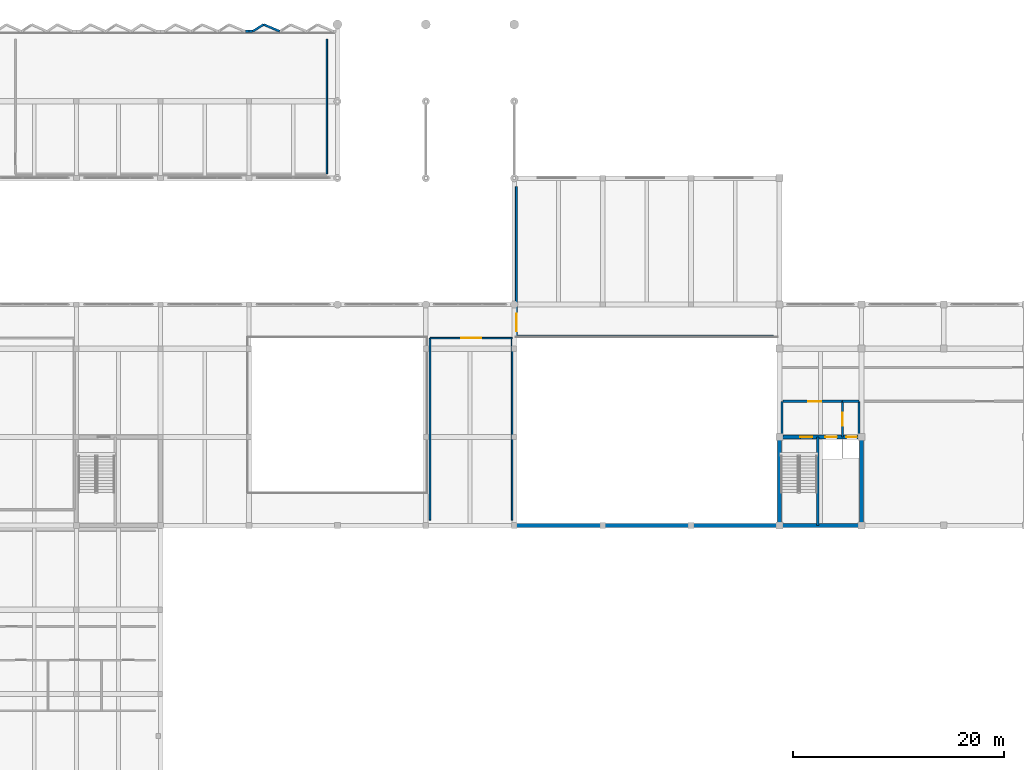
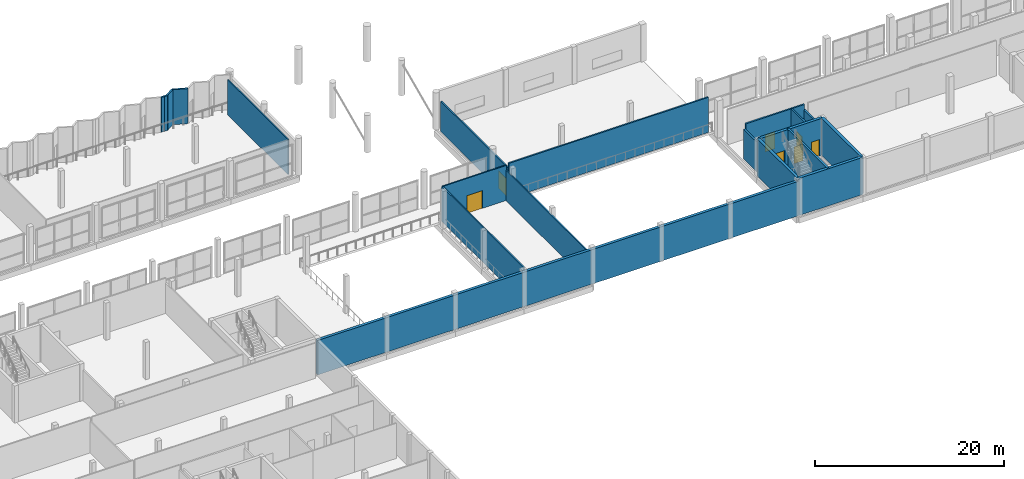
# One storey, part 37 of 47: 21 walls, 7 doors, 7 openings.
"""IFC4 building model written with IfcOpenShell, lengths in metres."""

from ifc_helpers import new_model, si_unit, direction, frame, frame_2d, origin, place, context, subcontext, project, spatial, rectangle, extrude, material, layer, layer_set, type_object, element, fill, save


model = new_model("IFC4")

# Units and contexts
model_context = context("Model", 3, precision=1e-05, world=origin(), true_north=direction((0.0, 1.0)))
body_context = subcontext(model_context, "Body", "Model", "MODEL_VIEW")
ifc_project = project(units=[si_unit("LENGTHUNIT", "METRE"), si_unit("AREAUNIT", "SQUARE_METRE"), si_unit("VOLUMEUNIT", "CUBIC_METRE"), si_unit("PLANEANGLEUNIT", "RADIAN"), si_unit("MASSUNIT", "GRAM", prefix="KILO")], contexts=[model_context])

# Site, building, storey
site_placement = place(None, origin())
site = spatial("IfcSite", under=ifc_project, at=site_placement, CompositionType="ELEMENT")
building_placement = place(site_placement, origin())
building = spatial("IfcBuilding", under=site, at=building_placement, Name="Vharandega Faculty of Natural Sciences", CompositionType="ELEMENT")
storey_placement = place(building_placement, frame((0.0, 0.0, 5.39990234375)))
storey = spatial("IfcBuildingStorey", under=building, at=storey_placement, Name="L01", CompositionType="ELEMENT", Elevation=5.39990234375)

# Wall
ifc_material_1 = material(Name="Acoustic masonry blockwork 15 MPa", Category="masonry")
ifc_layer_1 = layer(ifc_material_1, 0.179931640625, Name="Acoustic masonry blockwork 15 MPa")
ifc_layer_set_1 = layer_set([ifc_layer_1], Name="Acoustic masonry blockwork 15 MPa")
wall_type_1 = type_object("IfcWallType", Name="Acoustic Lecture Wall 180", PredefinedType="PARTITIONING", material=ifc_layer_set_1)
wall_1_placement = place(storey_placement, frame((89.800048828125, 82.0, 0.0), z_axis=(0.0, 0.0, 1.0), x_axis=(1.0, 0.0, 0.0)))
element("IfcWall", 1, at=wall_1_placement, inside=storey, type_object=wall_type_1, Name="Interior Wall PW-L01-R15S", PredefinedType="PARTITIONING", context=body_context, shape_type="SweptSolid", body=[
    extrude(rectangle(XDim=24.39990234375, YDim=0.179931640625, at=frame_2d((12.199951171875, 0.0))), origin(), (0.0, 0.0, 1.0), 4.5400390625),
])

# Wall, opening, door
wall_2_placement = place(storey_placement, frame((89.800048828125, 82.0, 0.0), z_axis=(0.0, 0.0, 1.0), x_axis=(0.0, 1.0, 0.0)))
wall_2 = element("IfcWall", 2, at=wall_2_placement, inside=storey, type_object=wall_type_1, Name="Interior Wall PW-L01-R15W", PredefinedType="PARTITIONING", context=body_context, shape_type="SweptSolid", body=[
    extrude(rectangle(XDim=14.199951171875, YDim=0.179931640625, at=frame_2d((7.10009765625, 0.0))), origin(), (0.0, 0.0, 1.0), 3.920166015625),
])
opening_1_placement = place(wall_2_placement, frame((0.431396484375, 0.0, 0.0)))
opening_1 = element("IfcOpeningElement", 3, at=opening_1_placement, cuts=wall_2, Name="Opening D0262", PredefinedType="OPENING", context=body_context, shape_type="SweptSolid", body=[
    extrude(rectangle(XDim=1.699951171875, YDim=2.25, at=frame_2d((0.85009765625, 1.125))), frame((0.0, 0.10009765625, 0.0), z_axis=(0.0, -1.0, 0.0), x_axis=(1.0, 0.0, 0.0)), (0.0, 0.0, 1.0), 0.199951171875),
])
ifc_material_2 = material(Name="Solid-core hardwood timber fire door", Category="wood")
door_type_1 = type_object("IfcDoorType", Name="ID01-LECTURE-DBL-1700x2250", OperationType="DOUBLE_DOOR_SINGLE_SWING", PredefinedType="DOOR", material=ifc_material_2)
door_1_placement = place(opening_1_placement, origin())
door_1 = element("IfcDoor", 4, at=door_1_placement, inside=storey, type_object=door_type_1, Name="Upper Lecture Projection Gallery Door D0262", OperationType="DOUBLE_DOOR_SINGLE_SWING", OverallHeight=2.25, OverallWidth=1.699951171875, PredefinedType="DOOR", context=body_context, shape_type="SweptSolid", body=[
    extrude(rectangle(XDim=1.699951171875, YDim=2.25, at=frame_2d((0.85009765625, 1.125))), frame((0.0, 0.02490234375, 0.0), z_axis=(0.0, -1.0, 0.0), x_axis=(1.0, 0.0, 0.0)), (0.0, 0.0, 1.0), 0.050048828125),
])
fill(opening_1, door_1)

# Walls
ifc_material_3 = material(Name="Precast concrete C40/50", Category="concrete")
ifc_layer_2 = layer(ifc_material_3, 0.2099609375, Name="Precast concrete C40/50")
ifc_layer_set_2 = layer_set([ifc_layer_2], Name="Precast concrete C40/50")
wall_type_2 = type_object("IfcWallType", Name="Commons Sawtooth Street Wall 210", PredefinedType="SOLIDWALL", material=ifc_layer_set_2)
wall_3_placement = place(storey_placement, frame((64.050048828125, 110.949951171875, 0.0), z_axis=(0.0, 0.0, 1.0), x_axis=(1.0, 0.0, 0.0)))
element("IfcWall", 5, at=wall_3_placement, inside=storey, type_object=wall_type_2, Name="Exterior Wall EW-V2SHL-L01-9R", PredefinedType="SOLIDWALL", context=body_context, shape_type="SweptSolid", body=[
    extrude(rectangle(XDim=0.349853515625, YDim=0.2099609375, at=frame_2d((0.1748046875, 0.0))), origin(), (0.0, 0.0, 1.0), 4.52001953125),
])
wall_4_placement = place(storey_placement, frame((64.39990234375, 110.949951171875, 0.0), z_axis=(0.0, 0.0, 1.0), x_axis=(1.0, 0.0, 0.0)))
element("IfcWall", 6, at=wall_4_placement, inside=storey, type_object=wall_type_2, Name="Exterior Wall EW-V2SHL-L01-9L", PredefinedType="SOLIDWALL", context=body_context, shape_type="SweptSolid", body=[
    extrude(rectangle(XDim=0.35009765625, YDim=0.2099609375, at=frame_2d((0.175048828125, 0.0))), origin(), (0.0, 0.0, 1.0), 4.52001953125),
])
wall_5_placement = place(storey_placement, frame((64.760009765625, 110.949951171875, 0.0), z_axis=(0.0, 0.0, 1.0), x_axis=(0.844199803058, 0.536028630315, 0.0)))
element("IfcWall", 7, at=wall_5_placement, inside=storey, type_object=wall_type_2, Name="Exterior Wall EW-V2SAW-L01-25G", PredefinedType="SOLIDWALL", context=body_context, shape_type="SweptSolid", body=[
    extrude(rectangle(XDim=1.212890625, YDim=0.2099609375, at=frame_2d((0.6064453125, 0.0))), origin(), (0.0, 0.0, 1.0), 4.52001953125),
])
wall_6_placement = place(storey_placement, frame((65.783935546875, 111.60009765625, 0.0), z_axis=(0.0, 0.0, 1.0), x_axis=(0.920914721045, -0.389764129393, 0.0)))
element("IfcWall", 8, at=wall_6_placement, inside=storey, type_object=wall_type_2, Name="Exterior Wall EW-V2SAW-L01-25S", PredefinedType="SOLIDWALL", context=body_context, shape_type="SweptSolid", body=[
    extrude(rectangle(XDim=1.66796875, YDim=0.2099609375, at=frame_2d((0.833984375, 0.0))), origin(), (0.0, 0.0, 1.0), 4.52001953125),
])
ifc_material_4 = material(Name="Concrete C40/50", Category="concrete")
ifc_layer_3 = layer(ifc_material_4, 0.35009765625, Name="Concrete C40/50")
ifc_layer_set_3 = layer_set([ifc_layer_3], Name="Concrete C40/50")
wall_type_3 = type_object("IfcWallType", Name="Core Shear Wall 350", PredefinedType="SHEAR", material=ifc_layer_set_3)
wall_7_placement = place(storey_placement, frame((114.800048828125, 64.0, 0.0), z_axis=(0.0, 0.0, 1.0), x_axis=(1.0, 0.0, 0.0)))
element("IfcWall", 9, at=wall_7_placement, inside=storey, type_object=wall_type_3, Name="Interior Wall CW-C1-L01-S", PredefinedType="SHEAR", context=body_context, shape_type="SweptSolid", body=[
    extrude(rectangle(XDim=7.800048828125, YDim=0.35009765625, at=frame_2d((3.89990234375, 0.0))), origin(), (0.0, 0.0, 1.0), 4.800048828125),
])
for number, where, z_axis, x_axis, name in (
    (10, (114.800048828125, 64.0, 0.0), (0.0, 0.0, 1.0), (0.0, 1.0, 0.0), "Interior Wall CW-C1-L01-W"),
    (11, (122.60009765625, 64.0, 0.0), (0.0, 0.0, 1.0), (0.0, 1.0, 0.0), "Interior Wall CW-C1-L01-E"),
):
    element("IfcWall", number, at=place(storey_placement, frame(where, z_axis=z_axis, x_axis=x_axis)), inside=storey, type_object=wall_type_3, Name=name, PredefinedType="SHEAR", context=body_context, shape_type="SweptSolid", body=[
        extrude(rectangle(XDim=8.39990234375, YDim=0.35009765625, at=frame_2d((4.199951171875, 0.0))), origin(), (0.0, 0.0, 1.0), 4.800048828125),
    ])

# Wall, openings, doors
wall_8_placement = place(storey_placement, frame((114.800048828125, 72.39990234375, 0.0), z_axis=(0.0, 0.0, 1.0), x_axis=(1.0, 0.0, 0.0)))
wall_8 = element("IfcWall", 12, at=wall_8_placement, inside=storey, type_object=wall_type_3, Name="Interior Wall CW-C1-L01-N", PredefinedType="SHEAR", context=body_context, shape_type="SweptSolid", body=[
    extrude(rectangle(XDim=7.800048828125, YDim=0.35009765625, at=frame_2d((3.89990234375, 0.0))), origin(), (0.0, 0.0, 1.0), 4.800048828125),
])
opening_2_placement = place(wall_8_placement, frame((1.97998046875, 0.0, 0.0)))
opening_2 = element("IfcOpeningElement", 13, at=opening_2_placement, cuts=wall_8, Name="Opening FD1", PredefinedType="OPENING", context=body_context, shape_type="SweptSolid", body=[
    extrude(rectangle(XDim=1.14990234375, YDim=2.199951171875, at=frame_2d((0.574951171875, 1.10009765625))), frame((0.0, 0.18505859375, 0.0), z_axis=(0.0, -1.0, 0.0), x_axis=(1.0, 0.0, 0.0)), (0.0, 0.0, 1.0), 0.3701171875),
])
opening_3_placement = place(wall_8_placement, frame((4.35009765625, 0.0, 0.0)))
opening_3 = element("IfcOpeningElement", 14, at=opening_3_placement, cuts=wall_8, Name="Opening LD-FL1-L01", PredefinedType="OPENING", context=body_context, shape_type="SweptSolid", body=[
    extrude(rectangle(XDim=1.10009765625, YDim=2.14990234375, at=frame_2d((0.550048828125, 1.074951171875))), frame((0.0, 0.18505859375, 0.0), z_axis=(0.0, -1.0, 0.0), x_axis=(1.0, 0.0, 0.0)), (0.0, 0.0, 1.0), 0.3701171875),
])
opening_4_placement = place(wall_8_placement, frame((6.360107421875, 0.0, 0.0)))
opening_4 = element("IfcOpeningElement", 15, at=opening_4_placement, cuts=wall_8, Name="Opening LD-LP1-L01", PredefinedType="OPENING", context=body_context, shape_type="SweptSolid", body=[
    extrude(rectangle(XDim=1.0, YDim=2.14990234375, at=frame_2d((0.5, 1.074951171875))), frame((0.0, 0.18505859375, 0.0), z_axis=(0.0, -1.0, 0.0), x_axis=(1.0, 0.0, 0.0)), (0.0, 0.0, 1.0), 0.3701171875),
])
ifc_material_5 = material(Name="Solid-core hardwood timber fire door", Category="wood")
door_type_2 = type_object("IfcDoorType", Name="FD1-STAIR-1150x2200", OperationType="NOTDEFINED", PredefinedType="DOOR", material=ifc_material_5)
door_2_placement = place(opening_2_placement, origin())
door_2 = element("IfcDoor", 16, at=door_2_placement, inside=storey, type_object=door_type_2, Name="Stair ST1 Fire Door FD1", OperationType="SINGLE_SWING_LEFT", OverallHeight=2.199951171875, OverallWidth=1.14990234375, PredefinedType="DOOR", context=body_context, shape_type="SweptSolid", body=[
    extrude(rectangle(XDim=1.14990234375, YDim=2.199951171875, at=frame_2d((0.574951171875, 1.10009765625))), frame((0.0, 0.02490234375, 0.0), z_axis=(0.0, -1.0, 0.0), x_axis=(1.0, 0.0, 0.0)), (0.0, 0.0, 1.0), 0.050048828125),
])
fill(opening_2, door_2)
ifc_material_6 = material(Name="Brushed stainless steel sliding landing door", Category="steel")
door_type_3 = type_object("IfcDoorType", Name="LD1-FFLIFT-SLIDING-1100x2150", OperationType="DOUBLE_DOOR_SLIDING", PredefinedType="DOOR", material=ifc_material_6)
door_3_placement = place(opening_3_placement, origin())
door_3 = element("IfcDoor", 17, at=door_3_placement, inside=storey, type_object=door_type_3, Name="Lift Landing Door LD-FL1-L01", OperationType="DOUBLE_DOOR_SLIDING", OverallHeight=2.14990234375, OverallWidth=1.10009765625, PredefinedType="DOOR", context=body_context, shape_type="SweptSolid", body=[
    extrude(rectangle(XDim=1.10009765625, YDim=2.14990234375, at=frame_2d((0.550048828125, 1.074951171875))), frame((0.0, 0.02490234375, 0.0), z_axis=(0.0, -1.0, 0.0), x_axis=(1.0, 0.0, 0.0)), (0.0, 0.0, 1.0), 0.050048828125),
])
fill(opening_3, door_3)
ifc_material_7 = material(Name="Brushed stainless steel sliding landing door", Category="steel")
door_type_4 = type_object("IfcDoorType", Name="LD2-PAXLIFT-SLIDING-1000x2150", OperationType="DOUBLE_DOOR_SLIDING", PredefinedType="DOOR", material=ifc_material_7)
door_4_placement = place(opening_4_placement, origin())
door_4 = element("IfcDoor", 18, at=door_4_placement, inside=storey, type_object=door_type_4, Name="Lift Landing Door LD-LP1-L01", OperationType="DOUBLE_DOOR_SLIDING", OverallHeight=2.14990234375, OverallWidth=1.0, PredefinedType="DOOR", context=body_context, shape_type="SweptSolid", body=[
    extrude(rectangle(XDim=1.0, YDim=2.14990234375, at=frame_2d((0.5, 1.074951171875))), frame((0.0, 0.02490234375, 0.0), z_axis=(0.0, -1.0, 0.0), x_axis=(1.0, 0.0, 0.0)), (0.0, 0.0, 1.0), 0.050048828125),
])
fill(opening_4, door_4)

# Wall, opening, door
ifc_material_8 = material(Name="Concrete C40/50", Category="concrete")
ifc_layer_4 = layer(ifc_material_8, 0.199951171875, Name="Concrete C40/50")
ifc_layer_set_4 = layer_set([ifc_layer_4], Name="Concrete C40/50")
wall_type_4 = type_object("IfcWallType", Name="Firefighting Lobby Wall 200", PredefinedType="PARTITIONING", material=ifc_layer_set_4)
wall_9_placement = place(storey_placement, frame((115.14990234375, 75.800048828125, 0.0), z_axis=(0.0, 0.0, 1.0), x_axis=(1.0, 0.0, 0.0)))
wall_9 = element("IfcWall", 19, at=wall_9_placement, inside=storey, type_object=wall_type_4, Name="Interior Wall PW-FFL-C1-L01-N", PredefinedType="PARTITIONING", context=body_context, shape_type="SweptSolid", body=[
    extrude(rectangle(XDim=5.650146484375, YDim=0.199951171875, at=frame_2d((2.8251953125, 0.0))), origin(), (0.0, 0.0, 1.0), 4.52001953125),
])
opening_5_placement = place(wall_9_placement, frame((2.39990234375, 0.0, 0.0)))
opening_5 = element("IfcOpeningElement", 20, at=opening_5_placement, cuts=wall_9, Name="Opening FD2", PredefinedType="OPENING", context=body_context, shape_type="SweptSolid", body=[
    extrude(rectangle(XDim=1.199951171875, YDim=2.199951171875, at=frame_2d((0.60009765625, 1.10009765625))), frame((0.0, 0.10986328125, 0.0), z_axis=(0.0, -1.0, 0.0), x_axis=(1.0, 0.0, 0.0)), (0.0, 0.0, 1.0), 0.219970703125),
])
ifc_material_9 = material(Name="Solid-core hardwood timber fire door", Category="wood")
door_type_5 = type_object("IfcDoorType", Name="FD2-FFLOBBY-1200x2200", OperationType="NOTDEFINED", PredefinedType="DOOR", material=ifc_material_9)
door_5_placement = place(opening_5_placement, origin())
door_5 = element("IfcDoor", 21, at=door_5_placement, inside=storey, type_object=door_type_5, Name="Firefighting Lobby C1 Door FD2", OperationType="SINGLE_SWING_LEFT", OverallHeight=2.199951171875, OverallWidth=1.199951171875, PredefinedType="DOOR", context=body_context, shape_type="SweptSolid", body=[
    extrude(rectangle(XDim=1.199951171875, YDim=2.199951171875, at=frame_2d((0.60009765625, 1.10009765625))), frame((0.0, 0.02490234375, 0.0), z_axis=(0.0, -1.0, 0.0), x_axis=(1.0, 0.0, 0.0)), (0.0, 0.0, 1.0), 0.050048828125),
])
fill(opening_5, door_5)

# Wall
wall_10_placement = place(storey_placement, frame((115.050048828125, 72.39990234375, 0.0), z_axis=(0.0, 0.0, 1.0), x_axis=(0.0, 1.0, 0.0)))
element("IfcWall", 22, at=wall_10_placement, inside=storey, type_object=wall_type_4, Name="Interior Wall PW-FFL-C1-L01-W", PredefinedType="PARTITIONING", context=body_context, shape_type="SweptSolid", body=[
    extrude(rectangle(XDim=3.400146484375, YDim=0.199951171875, at=frame_2d((1.7001953125, 0.0))), origin(), (0.0, 0.0, 1.0), 3.85009765625),
])

# Wall, opening, door
wall_11_placement = place(storey_placement, frame((120.800048828125, 72.39990234375, 0.0), z_axis=(0.0, 0.0, 1.0), x_axis=(0.0, 1.0, 0.0)))
wall_11 = element("IfcWall", 23, at=wall_11_placement, inside=storey, type_object=wall_type_4, Name="Interior Wall PW-FFL-C1-L01-E", PredefinedType="PARTITIONING", context=body_context, shape_type="SweptSolid", body=[
    extrude(rectangle(XDim=3.400146484375, YDim=0.199951171875, at=frame_2d((1.7001953125, 0.0))), origin(), (0.0, 0.0, 1.0), 4.52001953125),
])
opening_6_placement = place(wall_11_placement, frame((1.10009765625, 0.0, 0.0)))
opening_6 = element("IfcOpeningElement", 24, at=opening_6_placement, cuts=wall_11, Name="Opening FD2", PredefinedType="OPENING", context=body_context, shape_type="SweptSolid", body=[
    extrude(rectangle(XDim=1.199951171875, YDim=2.199951171875, at=frame_2d((0.60009765625, 1.10009765625))), frame((0.0, 0.10986328125, 0.0), z_axis=(0.0, -1.0, 0.0), x_axis=(1.0, 0.0, 0.0)), (0.0, 0.0, 1.0), 0.219970703125),
])
door_6_placement = place(opening_6_placement, origin())
door_6 = element("IfcDoor", 25, at=door_6_placement, inside=storey, type_object=door_type_5, Name="Lobby Interconnect C1 Door FD2", OperationType="SINGLE_SWING_RIGHT", OverallHeight=2.199951171875, OverallWidth=1.199951171875, PredefinedType="DOOR", context=body_context, shape_type="SweptSolid", body=[
    extrude(rectangle(XDim=1.199951171875, YDim=2.199951171875, at=frame_2d((0.60009765625, 1.10009765625))), frame((0.0, 0.02490234375, 0.0), z_axis=(0.0, -1.0, 0.0), x_axis=(1.0, 0.0, 0.0)), (0.0, 0.0, 1.0), 0.050048828125),
])
fill(opening_6, door_6)

# Walls
wall_12_placement = place(storey_placement, frame((120.800048828125, 75.800048828125, 0.0), z_axis=(0.0, 0.0, 1.0), x_axis=(1.0, 0.0, 0.0)))
element("IfcWall", 26, at=wall_12_placement, inside=storey, type_object=wall_type_4, Name="Interior Wall PW-LL-C1-L01-N", PredefinedType="PARTITIONING", context=body_context, shape_type="SweptSolid", body=[
    extrude(rectangle(XDim=1.550048828125, YDim=0.199951171875, at=frame_2d((0.77490234375, 0.0))), origin(), (0.0, 0.0, 1.0), 4.52001953125),
])
wall_13_placement = place(storey_placement, frame((122.35009765625, 72.39990234375, 0.0), z_axis=(0.0, 0.0, 1.0), x_axis=(0.0, 1.0, 0.0)))
element("IfcWall", 27, at=wall_13_placement, inside=storey, type_object=wall_type_4, Name="Interior Wall PW-LL-C1-L01-E", PredefinedType="PARTITIONING", context=body_context, shape_type="SweptSolid", body=[
    extrude(rectangle(XDim=3.400146484375, YDim=0.199951171875, at=frame_2d((1.7001953125, 0.0))), origin(), (0.0, 0.0, 1.0), 3.85009765625),
])
ifc_material_10 = material(Name="Granite ashlar masonry 25 MPa", Category="masonry")
ifc_layer_5 = layer(ifc_material_10, 0.340087890625, Name="Granite ashlar masonry 25 MPa")
ifc_layer_set_5 = layer_set([ifc_layer_5], Name="Granite ashlar masonry 25 MPa")
wall_type_5 = type_object("IfcWallType", Name="Imperforate Party Wall 340", PredefinedType="SOLIDWALL", material=ifc_layer_set_5)
wall_14_placement = place(storey_placement, frame((114.800048828125, 64.0, 0.0), z_axis=(0.0, 0.0, 1.0), x_axis=(-1.0, 0.0, 0.0)))
element("IfcWall", 28, at=wall_14_placement, inside=storey, type_object=wall_type_5, Name="Exterior Wall EW-PTY-L01-J1", PredefinedType="SOLIDWALL", context=body_context, shape_type="SweptSolid", body=[
    extrude(rectangle(XDim=58.800048828125, YDim=0.340087890625, at=frame_2d((29.39990234375, 0.0))), origin(), (0.0, 0.0, 1.0), 4.4501953125),
])

# Wall, opening, door
ifc_material_11 = material(Name="Gypsum fire-board on steel stud", Category="steel")
ifc_layer_6 = layer(ifc_material_11, 0.159912109375, Name="Gypsum fire-board on steel stud")
ifc_layer_set_6 = layer_set([ifc_layer_6], Name="Gypsum fire-board on steel stud")
wall_type_6 = type_object("IfcWallType", Name="Laboratory Fire Corridor Wall 160", PredefinedType="PARTITIONING", material=ifc_layer_set_6)
wall_15_placement = place(storey_placement, frame((81.60009765625, 81.800048828125, 0.0), z_axis=(0.0, 0.0, 1.0), x_axis=(1.0, 0.0, 0.0)))
wall_15 = element("IfcWall", 29, at=wall_15_placement, inside=storey, type_object=wall_type_6, Name="Interior Wall PW-L01-R14N", PredefinedType="PARTITIONING", context=body_context, shape_type="SweptSolid", body=[
    extrude(rectangle(XDim=7.7998046875, YDim=0.159912109375, at=frame_2d((3.89990234375, 0.0))), origin(), (0.0, 0.0, 1.0), 4.5400390625),
])
opening_7_placement = place(wall_15_placement, frame((2.949951171875, 0.0, 0.0)))
opening_7 = element("IfcOpeningElement", 30, at=opening_7_placement, cuts=wall_15, Name="Opening D0261", PredefinedType="OPENING", context=body_context, shape_type="SweptSolid", body=[
    extrude(rectangle(XDim=1.89990234375, YDim=2.300048828125, at=frame_2d((0.949951171875, 1.14990234375))), frame((0.0, 0.08984375, 0.0), z_axis=(0.0, -1.0, 0.0), x_axis=(1.0, 0.0, 0.0)), (0.0, 0.0, 1.0), 0.179931640625),
])
ifc_material_12 = material(Name="Solid-core hardwood timber fire door", Category="wood")
door_type_6 = type_object("IfcDoorType", Name="ID08-COMMONS-DBL-1900x2300", OperationType="DOUBLE_DOOR_SINGLE_SWING", PredefinedType="DOOR", material=ifc_material_12)
door_7_placement = place(opening_7_placement, origin())
door_7 = element("IfcDoor", 31, at=door_7_placement, inside=storey, type_object=door_type_6, Name="L01 Atrium East Study Gallery Door D0261", OperationType="DOUBLE_DOOR_SINGLE_SWING", OverallHeight=2.300048828125, OverallWidth=1.89990234375, PredefinedType="DOOR", context=body_context, shape_type="SweptSolid", body=[
    extrude(rectangle(XDim=1.89990234375, YDim=2.300048828125, at=frame_2d((0.949951171875, 1.14990234375))), frame((0.0, 0.02490234375, 0.0), z_axis=(0.0, -1.0, 0.0), x_axis=(1.0, 0.0, 0.0)), (0.0, 0.0, 1.0), 0.050048828125),
])
fill(opening_7, door_7)

# Walls
wall_16_placement = place(storey_placement, frame((81.60009765625, 64.5, 0.0), z_axis=(0.0, 0.0, 1.0), x_axis=(0.0, 1.0, 0.0)))
element("IfcWall", 32, at=wall_16_placement, inside=storey, type_object=wall_type_6, Name="Interior Wall PW-L01-R14W", PredefinedType="PARTITIONING", context=body_context, shape_type="SweptSolid", body=[
    extrude(rectangle(XDim=17.300048828125, YDim=0.159912109375, at=frame_2d((8.64990234375, 0.0))), origin(), (0.0, 0.0, 1.0), 4.5400390625),
])
wall_17_placement = place(storey_placement, frame((89.39990234375, 64.5, 0.0), z_axis=(0.0, 0.0, 1.0), x_axis=(0.0, 1.0, 0.0)))
element("IfcWall", 33, at=wall_17_placement, inside=storey, type_object=wall_type_6, Name="Interior Wall PW-L01-R14E", PredefinedType="PARTITIONING", context=body_context, shape_type="SweptSolid", body=[
    extrude(rectangle(XDim=17.300048828125, YDim=0.159912109375, at=frame_2d((8.64990234375, 0.0))), origin(), (0.0, 0.0, 1.0), 3.920166015625),
])
ifc_material_13 = material(Name="Concrete C40/50", Category="concrete")
ifc_layer_7 = layer(ifc_material_13, 0.260009765625, Name="Concrete C40/50")
ifc_layer_set_7 = layer_set([ifc_layer_7], Name="Concrete C40/50")
wall_type_7 = type_object("IfcWallType", Name="Lift Shaft Shear Wall 260", PredefinedType="SHEAR", material=ifc_layer_set_7)
wall_18_placement = place(storey_placement, frame((118.43994140625, 64.0, 0.0), z_axis=(0.0, 0.0, 1.0), x_axis=(0.0, 1.0, 0.0)))
element("IfcWall", 34, at=wall_18_placement, inside=storey, type_object=wall_type_7, Name="Interior Wall CW-C1-L01-DIV", PredefinedType="SHEAR", context=body_context, shape_type="SweptSolid", body=[
    extrude(rectangle(XDim=8.39990234375, YDim=0.260009765625, at=frame_2d((4.199951171875, 0.0))), origin(), (0.0, 0.0, 1.0), 4.800048828125),
])
ifc_material_14 = material(Name="Gypsum acoustic partition", Category="gypsum")
ifc_layer_8 = layer(ifc_material_14, 0.139892578125, Name="Gypsum acoustic partition")
ifc_layer_set_8 = layer_set([ifc_layer_8], Name="Gypsum acoustic partition")
wall_type_8 = type_object("IfcWallType", Name="Room Partition Wall 140", PredefinedType="PARTITIONING", material=ifc_layer_set_8)
wall_19_placement = place(storey_placement, frame((71.800048828125, 97.39990234375, 0.0), z_axis=(0.0, 0.0, 1.0), x_axis=(0.0, 1.0, 0.0)))
element("IfcWall", 35, at=wall_19_placement, inside=storey, type_object=wall_type_8, Name="Interior Wall PW-L01-R11E", PredefinedType="PARTITIONING", context=body_context, shape_type="SweptSolid", body=[
    extrude(rectangle(XDim=12.800048828125, YDim=0.139892578125, at=frame_2d((6.39990234375, 0.0))), origin(), (0.0, 0.0, 1.0), 4.5400390625),
])

save(model, "model.ifc")
